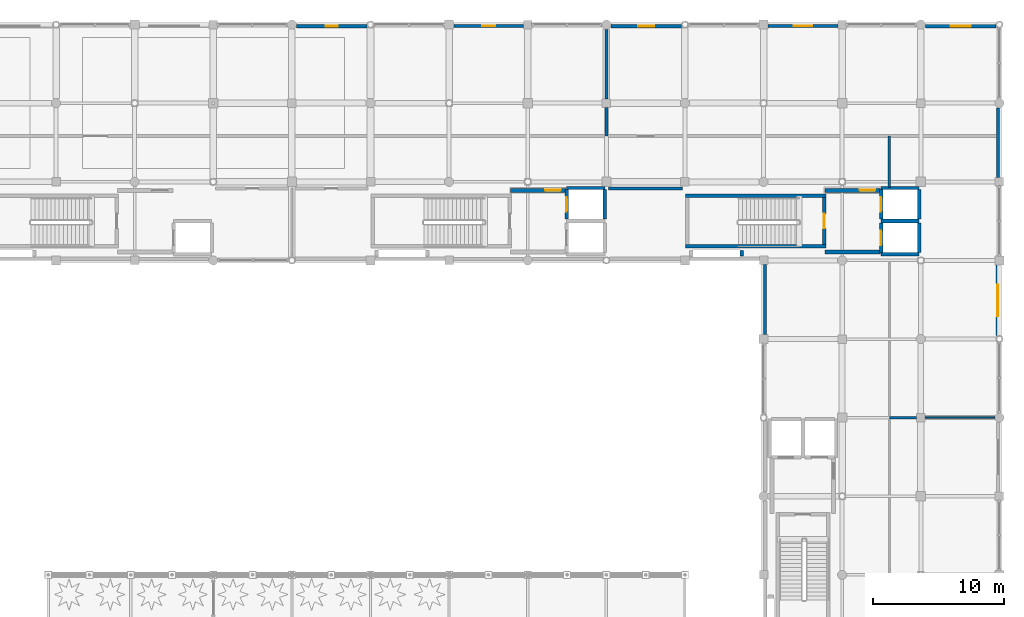
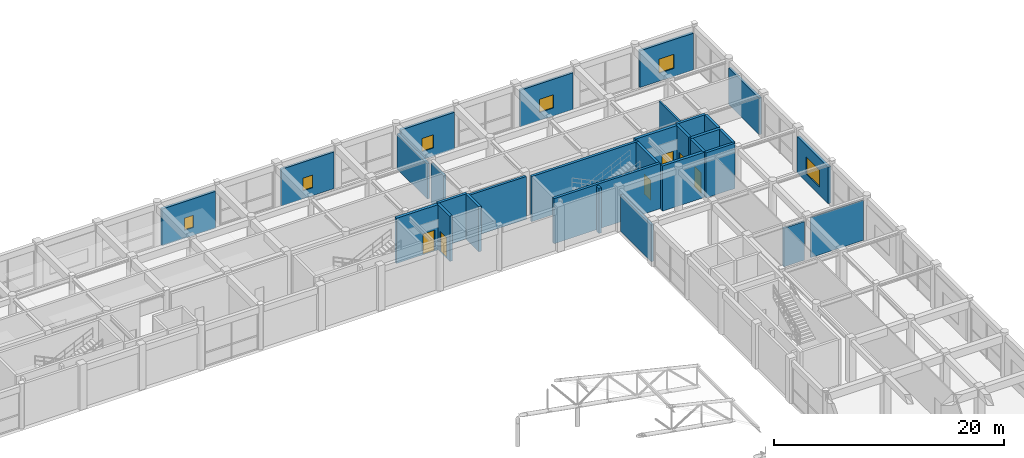
# One storey, part 99 of 112: 31 walls, 6 doors, 6 windows, 12 openings.
"""IFC4 building model written with IfcOpenShell, lengths in metres."""

import ifcopenshell
import ifcopenshell.guid

model = None  # the IFC model being written
_history = None  # IfcOwnerHistory: only IFC2X3 demands one
_inside = {}  # id of a spatial element -> (the spatial element, [elements in it])
_under = {}  # id of a project, library or spatial element -> (it, [spatial elements below it])
_declared = {}  # id of a project -> (the project, [libraries it declares])
_typed = {}  # id of a type object -> (the type object, [elements of that type])
_made_of = {}  # id of a material, layer set ... -> (it, [elements and type objects made of it])


def new_model(schema):
    """Start an empty IFC model of exactly this schema.

    Asked for "IFC4X3", IfcOpenShell would pick the latest addendum, in which some entities
    have other attributes; the version numbers below select the first issue.
    IFC2X3 requires an IfcOwnerHistory on every rooted entity: one is made here for all.
    """
    global model, _history
    if schema == "IFC4X3":
        model = ifcopenshell.file(schema_version=(4, 3, 0, 0))
    else:
        model = ifcopenshell.file(schema=schema)
    _inside.clear()
    _under.clear()
    _declared.clear()
    _typed.clear()
    _made_of.clear()
    _history = None
    if model.schema == "IFC2X3":
        org = make("IfcOrganization", Name="unknown")
        user = make(
            "IfcPersonAndOrganization",
            ThePerson=make("IfcPerson", FamilyName="unknown"),
            TheOrganization=org,
        )
        app = make(
            "IfcApplication",
            ApplicationDeveloper=org,
            Version="unknown",
            ApplicationFullName="unknown",
            ApplicationIdentifier="unknown",
        )
        _history = make(
            "IfcOwnerHistory",
            OwningUser=user,
            OwningApplication=app,
            ChangeAction="ADDED",
            CreationDate=0,
        )
    return model


def make(cls, **values):
    """One entity of the class cls with the attributes given. An attribute that is None is left unset."""
    return model.create_entity(
        cls, **{name: value for name, value in values.items() if value is not None}
    )


def rooted(cls, **values):
    """An entity with a GlobalId (a new one), such as an element, a storey or a relation."""
    return make(cls, GlobalId=ifcopenshell.guid.new(), OwnerHistory=_history, **values)


def si_unit(unit_type, name, prefix=None):
    """IfcSIUnit, for example si_unit("LENGTHUNIT", "METRE", prefix="MILLI")."""
    return make("IfcSIUnit", UnitType=unit_type, Prefix=prefix, Name=name)


def assignment(units):
    """IfcUnitAssignment: the units of a project."""
    return None if units is None else make("IfcUnitAssignment", Units=units)


def point(xyz):
    """IfcCartesianPoint."""
    return None if xyz is None else make("IfcCartesianPoint", Coordinates=xyz)


def direction(xyz):
    """IfcDirection."""
    return None if xyz is None else make("IfcDirection", DirectionRatios=xyz)


def frame(location, z_axis=None, x_axis=None):
    """IfcAxis2Placement3D, a coordinate frame: its origin and axes. An axis left out is left unset."""
    return make(
        "IfcAxis2Placement3D",
        Location=point(location),
        Axis=direction(z_axis),
        RefDirection=direction(x_axis),
    )


def frame_2d(location, x_axis=None):
    """IfcAxis2Placement2D, a coordinate frame in the plane: its origin and x axis."""
    return make(
        "IfcAxis2Placement2D", Location=point(location), RefDirection=direction(x_axis)
    )


def origin():
    """The frame at (0, 0, 0) with its axes left unset."""
    return frame((0.0, 0.0, 0.0))


def place(relative_to, where):
    """IfcLocalPlacement: puts the frame where relative to a parent placement (None: the world)."""
    return make(
        "IfcLocalPlacement", PlacementRelTo=relative_to, RelativePlacement=where
    )


def context(
    kind, dimensions, precision=None, world=None, true_north=None, identifier=None
):
    """IfcGeometricRepresentationContext, for example the 3D "Model" context."""
    return make(
        "IfcGeometricRepresentationContext",
        ContextIdentifier=identifier,
        ContextType=kind,
        CoordinateSpaceDimension=dimensions,
        Precision=precision,
        WorldCoordinateSystem=world,
        TrueNorth=true_north,
    )


def subcontext(parent, identifier, kind, view, scale=None):
    """IfcGeometricRepresentationSubContext, for example "Body" below "Model"."""
    return make(
        "IfcGeometricRepresentationSubContext",
        ContextIdentifier=identifier,
        ContextType=kind,
        ParentContext=parent,
        TargetScale=scale,
        TargetView=view,
    )


def project(units=None, contexts=None):
    """IfcProject with its units and contexts."""
    return rooted(
        "IfcProject",
        Name="project",
        RepresentationContexts=contexts,
        UnitsInContext=assignment(units),
    )


def spatial(cls, under=None, at=None, **own):
    """A site, building, storey or space (cls), placed at a placement, below another one or the project."""
    s = rooted(cls, ObjectPlacement=at, **own)
    if under is not None:
        _under.setdefault(under.id(), (under, []))[1].append(s)
    return s


def profile(cls, at=None, kind="AREA", **sizes):
    """A parametric profile (cls). Its sizes go by their IFC names, for example OverallWidth=200.0."""
    return make(cls, ProfileType=kind, Position=at, **sizes)


def rectangle(**sizes):
    """IfcRectangleProfileDef."""
    return profile("IfcRectangleProfileDef", **sizes)


def extrude(swept, where, along, depth):
    """IfcExtrudedAreaSolid: the profile swept, set in the frame where, extruded along a direction by depth."""
    return make(
        "IfcExtrudedAreaSolid",
        SweptArea=swept,
        Position=where,
        ExtrudedDirection=direction(along),
        Depth=depth,
    )


def shape(context_of_items, identifier, shape_type, items):
    """IfcShapeRepresentation: the items that make up one representation, for example the "Body"."""
    return make(
        "IfcShapeRepresentation",
        ContextOfItems=context_of_items,
        RepresentationIdentifier=identifier,
        RepresentationType=shape_type,
        Items=items,
    )


def material(Name=None, Category=None):
    """IfcMaterial."""
    return make("IfcMaterial", Name=Name, Category=Category)


def layer(
    of_material, thickness, ventilated=None, Name=None, Category=None, Priority=None
):
    """IfcMaterialLayer: one layer of a wall or slab, of a material (None: an air gap)."""
    return make(
        "IfcMaterialLayer",
        Material=of_material,
        LayerThickness=thickness,
        IsVentilated=ventilated,
        Name=Name,
        Category=Category,
        Priority=Priority,
    )


def layer_set(layers, Name=None):
    """IfcMaterialLayerSet."""
    return make("IfcMaterialLayerSet", MaterialLayers=layers, LayerSetName=Name)


def made_of(thing, what):
    """Note that an element or type object is made of a material, layer set ...; save() writes the relation."""
    if what is not None:
        _made_of.setdefault(what.id(), (what, []))[1].append(thing)
    return thing


def type_object(cls, material=None, **own):
    """A type object (cls), such as IfcWallType, which elements share."""
    return made_of(rooted(cls, **own), material)


def element(
    cls,
    number,
    at=None,
    inside=None,
    cuts=None,
    type_object=None,
    material=None,
    context=None,
    identifier="Body",
    shape_type=None,
    held_by="IfcProductDefinitionShape",
    body=None,
    shapes=None,
    **own,
):
    """One element of the class cls, such as IfcWall. Its Tag is "e" and its number.

    at: its placement. inside: the storey or other place that contains it. cuts: it is an
    opening in that element (IfcRelVoidsElement). A single representation is given by context,
    identifier, shape_type and body (its items); several are given by shapes. held_by: the class
    of the entity that holds the representations. save() writes the other relations.
    """
    e = rooted(cls, Tag="e%d" % number, ObjectPlacement=at, **own)
    if body is not None:
        shapes = [shape(context, identifier, shape_type, body)]
    if shapes is not None:
        e.Representation = make(held_by, Representations=shapes)
    if inside is not None:
        _inside.setdefault(inside.id(), (inside, []))[1].append(e)
    if cuts is not None:
        rooted(
            "IfcRelVoidsElement", RelatingBuildingElement=cuts, RelatedOpeningElement=e
        )
    if type_object is not None:
        _typed.setdefault(type_object.id(), (type_object, []))[1].append(e)
    return made_of(e, material)


def fill(opening, filler):
    """IfcRelFillsElement: the door or window that sits in an opening."""
    return rooted(
        "IfcRelFillsElement",
        RelatingOpeningElement=opening,
        RelatedBuildingElement=filler,
    )


def aggregate(whole, parts):
    """IfcRelAggregates: a whole, such as a stair, and the parts it consists of."""
    return rooted("IfcRelAggregates", RelatingObject=whole, RelatedObjects=parts)


def save(model, path):
    """Write the relations noted so far, then the file.

    IfcRelAggregates (storeys below a building ...), IfcRelContainedInSpatialStructure (elements
    in a storey), IfcRelDefinesByType, IfcRelAssociatesMaterial and IfcRelDeclares: one each for
    every whole, place, type object, material and project.
    """
    for whole, parts in _under.values():
        aggregate(whole, parts)
    for where, things in _inside.values():
        rooted(
            "IfcRelContainedInSpatialStructure",
            RelatedElements=things,
            RelatingStructure=where,
        )
    for kind, things in _typed.values():
        rooted("IfcRelDefinesByType", RelatedObjects=things, RelatingType=kind)
    for what, things in _made_of.values():
        rooted("IfcRelAssociatesMaterial", RelatedObjects=things, RelatingMaterial=what)
    for by, libraries in _declared.values():
        rooted("IfcRelDeclares", RelatingContext=by, RelatedDefinitions=libraries)
    model.write(path)


model = new_model("IFC4")

# Units and contexts
model_context = context("Model", 3, precision=1e-05, world=origin(), true_north=direction((0.0, 1.0)))
body_context = subcontext(model_context, "Body", "Model", "MODEL_VIEW")
ifc_project = project(units=[si_unit("LENGTHUNIT", "METRE"), si_unit("AREAUNIT", "SQUARE_METRE"), si_unit("VOLUMEUNIT", "CUBIC_METRE"), si_unit("PLANEANGLEUNIT", "RADIAN"), si_unit("MASSUNIT", "GRAM", prefix="KILO"), si_unit("THERMODYNAMICTEMPERATUREUNIT", "KELVIN"), si_unit("POWERUNIT", "WATT")], contexts=[model_context])

# Site, building, storey
site_placement = place(None, origin())
site = spatial("IfcSite", under=ifc_project, at=site_placement, CompositionType="ELEMENT")
building_placement = place(site_placement, origin())
building = spatial("IfcBuilding", under=site, at=building_placement, Name="Phaisarnlok Congress Hotel", CompositionType="ELEMENT")
storey_placement = place(building_placement, frame((0.0, 0.0, 19.800048828125)))
storey = spatial("IfcBuildingStorey", under=building, at=storey_placement, Name="L04", CompositionType="ELEMENT", Elevation=19.800048828125)

# Walls
ifc_material_1 = material(Name="Concrete C40/50", Category="concrete")
ifc_layer_1 = layer(ifc_material_1, 0.22998046875, Name="Concrete C40/50")
ifc_layer_set_1 = layer_set([ifc_layer_1], Name="Concrete C40/50")
wall_type_1 = type_object("IfcWallType", Name="WL-EXT-230", PredefinedType="SOLIDWALL", material=ifc_layer_set_1)
for number, where, z_axis, x_axis, name in (
    (1, (162.114990234375, 107.669921875, 0.0), (0.0, 0.0, 1.0), (0.0, -1.0, 0.0), "Exterior wall EW-06 (L04)"),
    (2, (179.885009765625, 114.330078125, 0.0), (0.0, 0.0, 1.0), (0.0, 1.0, 0.0), "Exterior wall EW-06 (L04)"),
):
    element("IfcWall", number, at=place(storey_placement, frame(where, z_axis=z_axis, x_axis=x_axis)), inside=storey, type_object=wall_type_1, Name=name, PredefinedType="SOLIDWALL", context=body_context, shape_type="SweptSolid", body=[
        extrude(rectangle(XDim=5.31494140625, YDim=0.22998046875, at=frame_2d((2.657470703125, 0.0))), origin(), (0.0, 0.0, 1.0), 3.89990234375),
    ])

# Wall, opening, window
wall_1_placement = place(storey_placement, frame((167.669921875, 125.885009765625, 0.0), z_axis=(0.0, 0.0, 1.0), x_axis=(-1.0, 0.0, 0.0)))
wall_1 = element("IfcWall", 3, at=wall_1_placement, inside=storey, type_object=wall_type_1, Name="Exterior wall EW-06 (L04)", PredefinedType="SOLIDWALL", context=body_context, shape_type="SweptSolid", body=[
    extrude(rectangle(XDim=5.31494140625, YDim=0.22998046875, at=frame_2d((2.657470703125, 0.0))), origin(), (0.0, 0.0, 1.0), 3.89990234375),
])
opening_1_placement = place(wall_1_placement, frame((1.95703125, 0.0, 0.85009765625)))
opening_1 = element("IfcOpeningElement", 4, at=opening_1_placement, cuts=wall_1, Name="Opening W-13", PredefinedType="OPENING", context=body_context, shape_type="SweptSolid", body=[
    extrude(rectangle(XDim=1.39990234375, YDim=1.39990234375, at=frame_2d((0.699951171875, 0.699951171875))), frame((0.0, 0.125, 0.0), z_axis=(0.0, -1.0, 0.0), x_axis=(1.0, 0.0, 0.0)), (0.0, 0.0, 1.0), 0.25),
])
ifc_material_2 = material(Name="Thermally Broken Aluminium & Low-E Double Glazing", Category="aluminium")
window_type_1 = type_object("IfcWindowType", Name="WIN-POD-1400", PartitioningType="SINGLE_PANEL", PredefinedType="WINDOW", material=ifc_material_2)
window_1_placement = place(opening_1_placement, origin())
window_1 = element("IfcWindow", 5, at=window_1_placement, inside=storey, type_object=window_type_1, Name="Podium window W-13 (L04)", OverallHeight=1.39990234375, OverallWidth=1.39990234375, PartitioningType="SINGLE_PANEL", PredefinedType="WINDOW", context=body_context, shape_type="SweptSolid", body=[
    extrude(rectangle(XDim=1.39990234375, YDim=1.39990234375, at=frame_2d((0.699951171875, 0.699951171875))), frame((0.0, 0.030029296875, 0.0), z_axis=(0.0, -1.0, 0.0), x_axis=(1.0, 0.0, 0.0)), (0.0, 0.0, 1.0), 0.06005859375),
])
fill(opening_1, window_1)

wall_2_placement = place(storey_placement, frame((143.669921875, 125.885009765625, 0.0), z_axis=(0.0, 0.0, 1.0), x_axis=(-1.0, 0.0, 0.0)))
wall_2 = element("IfcWall", 6, at=wall_2_placement, inside=storey, type_object=wall_type_1, Name="Exterior wall EW-06 (L04)", PredefinedType="SOLIDWALL", context=body_context, shape_type="SweptSolid", body=[
    extrude(rectangle(XDim=5.31494140625, YDim=0.22998046875, at=frame_2d((2.657470703125, 0.0))), origin(), (0.0, 0.0, 1.0), 3.89990234375),
])
opening_2_placement = place(wall_2_placement, frame((2.156982421875, 0.0, 0.85009765625)))
opening_2 = element("IfcOpeningElement", 7, at=opening_2_placement, cuts=wall_2, Name="Opening W-15", PredefinedType="OPENING", context=body_context, shape_type="SweptSolid", body=[
    extrude(rectangle(XDim=1.0, YDim=1.35009765625, at=frame_2d((0.5, 0.675048828125))), frame((0.0, 0.125, 0.0), z_axis=(0.0, -1.0, 0.0), x_axis=(1.0, 0.0, 0.0)), (0.0, 0.0, 1.0), 0.25),
])
window_type_2 = type_object("IfcWindowType", Name="WIN-POD-1000", PartitioningType="SINGLE_PANEL", PredefinedType="WINDOW", material=ifc_material_2)
window_2_placement = place(opening_2_placement, origin())
window_2 = element("IfcWindow", 8, at=window_2_placement, inside=storey, type_object=window_type_2, Name="Podium window W-15 (L04)", OverallHeight=1.35009765625, OverallWidth=1.0, PartitioningType="SINGLE_PANEL", PredefinedType="WINDOW", context=body_context, shape_type="SweptSolid", body=[
    extrude(rectangle(XDim=1.0, YDim=1.35009765625, at=frame_2d((0.5, 0.675048828125))), frame((0.0, 0.030029296875, 0.0), z_axis=(0.0, -1.0, 0.0), x_axis=(1.0, 0.0, 0.0)), (0.0, 0.0, 1.0), 0.06005859375),
])
fill(opening_2, window_2)

ifc_layer_2 = layer(ifc_material_1, 0.27001953125, Name="Concrete C40/50")
ifc_layer_set_2 = layer_set([ifc_layer_2], Name="Concrete C40/50")
wall_type_2 = type_object("IfcWallType", Name="WL-EXT-270", PredefinedType="SOLIDWALL", material=ifc_layer_set_2)
wall_3_placement = place(storey_placement, frame((179.864990234375, 102.259033203125, 0.0), z_axis=(0.0, 0.0, 1.0), x_axis=(0.0, 1.0, 0.0)))
wall_3 = element("IfcWall", 9, at=wall_3_placement, inside=storey, type_object=wall_type_2, Name="Exterior wall EW-04 (L04)", PredefinedType="SOLIDWALL", context=body_context, shape_type="SweptSolid", body=[
    extrude(rectangle(XDim=5.385986328125, YDim=0.27001953125, at=frame_2d((2.69287109375, 0.0))), origin(), (0.0, 0.0, 1.0), 3.89990234375),
])
opening_3_placement = place(wall_3_placement, frame((1.492919921875, 0.0, 0.85009765625)))
opening_3 = element("IfcOpeningElement", 10, at=opening_3_placement, cuts=wall_3, Name="Opening W-08", PredefinedType="OPENING", context=body_context, shape_type="SweptSolid", body=[
    extrude(rectangle(XDim=2.39990234375, YDim=1.800048828125, at=frame_2d((1.199951171875, 0.89990234375))), frame((0.0, 0.14501953125, 0.0), z_axis=(0.0, -1.0, 0.0), x_axis=(1.0, 0.0, 0.0)), (0.0, 0.0, 1.0), 0.2900390625),
])
window_type_3 = type_object("IfcWindowType", Name="WIN-POD-2400", PartitioningType="SINGLE_PANEL", PredefinedType="WINDOW", material=ifc_material_2)
window_3_placement = place(opening_3_placement, origin())
window_3 = element("IfcWindow", 11, at=window_3_placement, inside=storey, type_object=window_type_3, Name="Podium window W-08 (L04)", OverallHeight=1.800048828125, OverallWidth=2.39990234375, PartitioningType="SINGLE_PANEL", PredefinedType="WINDOW", context=body_context, shape_type="SweptSolid", body=[
    extrude(rectangle(XDim=2.39990234375, YDim=1.800048828125, at=frame_2d((1.199951171875, 0.89990234375))), frame((0.0, 0.030029296875, 0.0), z_axis=(0.0, -1.0, 0.0), x_axis=(1.0, 0.0, 0.0)), (0.0, 0.0, 1.0), 0.06005859375),
])
fill(opening_3, window_3)

wall_4_placement = place(storey_placement, frame((179.740966796875, 125.864990234375, 0.0), z_axis=(0.0, 0.0, 1.0), x_axis=(-1.0, 0.0, 0.0)))
wall_4 = element("IfcWall", 12, at=wall_4_placement, inside=storey, type_object=wall_type_2, Name="Exterior wall EW-04 (L04)", PredefinedType="SOLIDWALL", context=body_context, shape_type="SweptSolid", body=[
    extrude(rectangle(XDim=5.385986328125, YDim=0.27001953125, at=frame_2d((2.69287109375, 0.0))), origin(), (0.0, 0.0, 1.0), 3.89990234375),
])
opening_4_placement = place(wall_4_placement, frame((1.943115234375, 0.0, 0.85009765625)))
opening_4 = element("IfcOpeningElement", 13, at=opening_4_placement, cuts=wall_4, Name="Opening W-12", PredefinedType="OPENING", context=body_context, shape_type="SweptSolid", body=[
    extrude(rectangle(XDim=1.5, YDim=1.5, at=frame_2d((0.75, 0.75))), frame((0.0, 0.14501953125, 0.0), z_axis=(0.0, -1.0, 0.0), x_axis=(1.0, 0.0, 0.0)), (0.0, 0.0, 1.0), 0.2900390625),
])
window_type_4 = type_object("IfcWindowType", Name="WIN-POD-1500", PartitioningType="SINGLE_PANEL", PredefinedType="WINDOW", material=ifc_material_2)
window_4_placement = place(opening_4_placement, origin())
window_4 = element("IfcWindow", 14, at=window_4_placement, inside=storey, type_object=window_type_4, Name="Podium window W-12 (L04)", OverallHeight=1.5, OverallWidth=1.5, PartitioningType="SINGLE_PANEL", PredefinedType="WINDOW", context=body_context, shape_type="SweptSolid", body=[
    extrude(rectangle(XDim=1.5, YDim=1.5, at=frame_2d((0.75, 0.75))), frame((0.0, 0.030029296875, 0.0), z_axis=(0.0, -1.0, 0.0), x_axis=(1.0, 0.0, 0.0)), (0.0, 0.0, 1.0), 0.06005859375),
])
fill(opening_4, window_4)

wall_5_placement = place(storey_placement, frame((155.740966796875, 125.864990234375, 0.0), z_axis=(0.0, 0.0, 1.0), x_axis=(-1.0, 0.0, 0.0)))
wall_5 = element("IfcWall", 15, at=wall_5_placement, inside=storey, type_object=wall_type_2, Name="Exterior wall EW-04 (L04)", PredefinedType="SOLIDWALL", context=body_context, shape_type="SweptSolid", body=[
    extrude(rectangle(XDim=5.385986328125, YDim=0.27001953125, at=frame_2d((2.69287109375, 0.0))), origin(), (0.0, 0.0, 1.0), 3.89990234375),
])
opening_5_placement = place(wall_5_placement, frame((2.093017578125, 0.0, 0.85009765625)))
opening_5 = element("IfcOpeningElement", 16, at=opening_5_placement, cuts=wall_5, Name="Opening W-14", PredefinedType="OPENING", context=body_context, shape_type="SweptSolid", body=[
    extrude(rectangle(XDim=1.199951171875, YDim=1.39990234375, at=frame_2d((0.60009765625, 0.699951171875))), frame((0.0, 0.14501953125, 0.0), z_axis=(0.0, -1.0, 0.0), x_axis=(1.0, 0.0, 0.0)), (0.0, 0.0, 1.0), 0.2900390625),
])
window_type_5 = type_object("IfcWindowType", Name="WIN-POD-1200", PartitioningType="SINGLE_PANEL", PredefinedType="WINDOW", material=ifc_material_2)
window_5_placement = place(opening_5_placement, origin())
window_5 = element("IfcWindow", 17, at=window_5_placement, inside=storey, type_object=window_type_5, Name="Podium window W-14 (L04)", OverallHeight=1.39990234375, OverallWidth=1.199951171875, PartitioningType="SINGLE_PANEL", PredefinedType="WINDOW", context=body_context, shape_type="SweptSolid", body=[
    extrude(rectangle(XDim=1.199951171875, YDim=1.39990234375, at=frame_2d((0.60009765625, 0.699951171875))), frame((0.0, 0.030029296875, 0.0), z_axis=(0.0, -1.0, 0.0), x_axis=(1.0, 0.0, 0.0)), (0.0, 0.0, 1.0), 0.06005859375),
])
fill(opening_5, window_5)

wall_6_placement = place(storey_placement, frame((131.740966796875, 125.864990234375, 0.0), z_axis=(0.0, 0.0, 1.0), x_axis=(-1.0, 0.0, 0.0)))
wall_6 = element("IfcWall", 18, at=wall_6_placement, inside=storey, type_object=wall_type_2, Name="Exterior wall EW-04 (L04)", PredefinedType="SOLIDWALL", context=body_context, shape_type="SweptSolid", body=[
    extrude(rectangle(XDim=5.385986328125, YDim=0.27001953125, at=frame_2d((2.69287109375, 0.0))), origin(), (0.0, 0.0, 1.0), 3.89990234375),
])
opening_6_placement = place(wall_6_placement, frame((2.242919921875, 0.0, 0.85009765625)))
opening_6 = element("IfcOpeningElement", 19, at=opening_6_placement, cuts=wall_6, Name="Opening W-16", PredefinedType="OPENING", context=body_context, shape_type="SweptSolid", body=[
    extrude(rectangle(XDim=0.89990234375, YDim=1.300048828125, at=frame_2d((0.449951171875, 0.64990234375))), frame((0.0, 0.14501953125, 0.0), z_axis=(0.0, -1.0, 0.0), x_axis=(1.0, 0.0, 0.0)), (0.0, 0.0, 1.0), 0.2900390625),
])
window_type_6 = type_object("IfcWindowType", Name="WIN-POD-0900", PartitioningType="SINGLE_PANEL", PredefinedType="WINDOW", material=ifc_material_2)
window_6_placement = place(opening_6_placement, origin())
window_6 = element("IfcWindow", 20, at=window_6_placement, inside=storey, type_object=window_type_6, Name="Podium window W-16 (L04)", OverallHeight=1.300048828125, OverallWidth=0.89990234375, PartitioningType="SINGLE_PANEL", PredefinedType="WINDOW", context=body_context, shape_type="SweptSolid", body=[
    extrude(rectangle(XDim=0.89990234375, YDim=1.300048828125, at=frame_2d((0.449951171875, 0.64990234375))), frame((0.0, 0.030029296875, 0.0), z_axis=(0.0, -1.0, 0.0), x_axis=(1.0, 0.0, 0.0)), (0.0, 0.0, 1.0), 0.06005859375),
])
fill(opening_6, window_6)

# Walls
ifc_material_3 = material(Name="Service Riser Shaftwall Partition", Category="gypsum")
ifc_layer_3 = layer(ifc_material_3, 0.10498046875, Name="Service Riser Shaftwall Partition")
ifc_layer_set_3 = layer_set([ifc_layer_3], Name="Service Riser Shaftwall Partition")
wall_type_3 = type_object("IfcWallType", Name="WL-INT-105", PredefinedType="PARTITIONING", material=ifc_layer_set_3)
wall_7_placement = place(storey_placement, frame((174.330078125, 96.0, 0.0), z_axis=(0.0, 0.0, 1.0), x_axis=(1.0, 0.0, 0.0)))
element("IfcWall", 21, at=wall_7_placement, inside=storey, type_object=wall_type_3, Name="Interior partition wall IW-08 (L04)", PredefinedType="PARTITIONING", context=body_context, shape_type="SweptSolid", body=[
    extrude(rectangle(XDim=5.2998046875, YDim=0.10498046875, at=frame_2d((2.64990234375, 0.0))), origin(), (0.0, 0.0, 1.0), 4.260009765625),
])
ifc_material_4 = material(Name="Autoclaved Aerated Concrete Block", Category="concrete")
ifc_layer_4 = layer(ifc_material_4, 0.179931640625, Name="Autoclaved Aerated Concrete Block")
ifc_layer_set_4 = layer_set([ifc_layer_4], Name="Autoclaved Aerated Concrete Block")
wall_type_4 = type_object("IfcWallType", Name="WL-INT-180", PredefinedType="PARTITIONING", material=ifc_layer_set_4)
wall_8_placement = place(storey_placement, frame((171.60009765625, 113.56005859375, 0.0), z_axis=(0.0, 0.0, 1.0), x_axis=(0.0, 1.0, 0.0)))
element("IfcWall", 22, at=wall_8_placement, inside=storey, type_object=wall_type_4, Name="Interior partition wall IW-03 (L04)", PredefinedType="PARTITIONING", context=body_context, shape_type="SweptSolid", body=[
    extrude(rectangle(XDim=3.93994140625, YDim=0.179931640625, at=frame_2d((1.969970703125, 0.0))), origin(), (0.0, 0.0, 1.0), 4.550048828125),
])
ifc_layer_5 = layer(ifc_material_4, 0.199951171875, Name="Autoclaved Aerated Concrete Block")
ifc_layer_set_5 = layer_set([ifc_layer_5], Name="Autoclaved Aerated Concrete Block")
wall_type_5 = type_object("IfcWallType", Name="WL-INT-200", PredefinedType="PARTITIONING", material=ifc_layer_set_5)
wall_9_placement = place(storey_placement, frame((171.60009765625, 96.0, 0.0), z_axis=(0.0, 0.0, 1.0), x_axis=(1.0, 0.0, 0.0)))
element("IfcWall", 23, at=wall_9_placement, inside=storey, type_object=wall_type_5, Name="Interior partition wall IW-02 (L04)", PredefinedType="PARTITIONING", context=body_context, shape_type="SweptSolid", body=[
    extrude(rectangle(XDim=2.06982421875, YDim=0.199951171875, at=frame_2d((1.034912109375, 0.0))), origin(), (0.0, 0.0, 1.0), 4.099853515625),
])
ifc_layer_6 = layer(ifc_material_1, 0.239990234375, Name="Concrete C40/50")
ifc_layer_set_6 = layer_set([ifc_layer_6], Name="Concrete C40/50")
wall_type_6 = type_object("IfcWallType", Name="WL-INT-240", PredefinedType="PARTITIONING", material=ifc_layer_set_6)
wall_10_placement = place(storey_placement, frame((150.0, 117.5, 0.0), z_axis=(0.0, 0.0, 1.0), x_axis=(0.0, 1.0, 0.0)))
element("IfcWall", 24, at=wall_10_placement, inside=storey, type_object=wall_type_6, Name="Interior partition wall IW-01 (L04)", PredefinedType="PARTITIONING", context=body_context, shape_type="SweptSolid", body=[
    extrude(rectangle(XDim=2.169921875, YDim=0.239990234375, at=frame_2d((1.0849609375, 0.0))), origin(), (0.0, 0.0, 1.0), 4.2099609375),
])
wall_11_placement = place(storey_placement, frame((150.0, 120.330078125, 0.0), z_axis=(0.0, 0.0, 1.0), x_axis=(0.0, 1.0, 0.0)))
element("IfcWall", 25, at=wall_11_placement, inside=storey, type_object=wall_type_6, Name="Interior partition wall IW-01 (L04)", PredefinedType="PARTITIONING", context=body_context, shape_type="SweptSolid", body=[
    extrude(rectangle(XDim=5.2998046875, YDim=0.239990234375, at=frame_2d((2.64990234375, 0.0))), origin(), (0.0, 0.0, 1.0), 3.75),
])
wall_12_placement = place(storey_placement, frame((150.179931640625, 113.5, 0.0), z_axis=(0.0, 0.0, 1.0), x_axis=(1.0, 0.0, 0.0)))
element("IfcWall", 26, at=wall_12_placement, inside=storey, type_object=wall_type_6, Name="Interior partition wall IW-01 (L04)", PredefinedType="PARTITIONING", context=body_context, shape_type="SweptSolid", body=[
    extrude(rectangle(XDim=5.64013671875, YDim=0.239990234375, at=frame_2d((2.820068359375, 0.0))), origin(), (0.0, 0.0, 1.0), 4.550048828125),
])
ifc_material_5 = material(Name="Concrete C50/60", Category="concrete")
ifc_layer_7 = layer(ifc_material_5, 0.260009765625, Name="Concrete C50/60")
ifc_layer_set_7 = layer_set([ifc_layer_7], Name="Concrete C50/60")
wall_type_7 = type_object("IfcWallType", Name="WL-SHR-260", PredefinedType="SHEAR", material=ifc_layer_set_7)
for number, where, z_axis, x_axis, name in (
    (27, (156.0400390625, 109.070068359375, 0.0), (0.0, 0.0, 1.0), (1.0, 0.0, 0.0), "Stair shaft shear wall SW-04 (CORE-1 L04)"),
    (28, (156.0400390625, 112.929931640625, 0.0), (0.0, 0.0, 1.0), (1.0, 0.0, 0.0), "Stair shaft shear wall SW-04 (CORE-1 L04)"),
):
    element("IfcWall", number, at=place(storey_placement, frame(where, z_axis=z_axis, x_axis=x_axis)), inside=storey, type_object=wall_type_7, Name=name, PredefinedType="SHEAR", context=body_context, shape_type="SweptSolid", body=[
        extrude(rectangle(XDim=10.719970703125, YDim=0.260009765625, at=frame_2d((5.35986328125, 0.0))), origin(), (0.0, 0.0, 1.0), 4.800048828125),
    ])

# Wall, opening, door
wall_13_placement = place(storey_placement, frame((166.6298828125, 109.199951171875, 0.0), z_axis=(0.0, 0.0, 1.0), x_axis=(0.0, 1.0, 0.0)))
wall_13 = element("IfcWall", 29, at=wall_13_placement, inside=storey, type_object=wall_type_7, Name="Stair shaft shear wall SW-04 (CORE-1 L04)", PredefinedType="SHEAR", context=body_context, shape_type="SweptSolid", body=[
    extrude(rectangle(XDim=3.60009765625, YDim=0.260009765625, at=frame_2d((1.800048828125, 0.0))), origin(), (0.0, 0.0, 1.0), 4.800048828125),
])
opening_7_placement = place(wall_13_placement, frame((1.25, 0.0, 0.0)))
opening_7 = element("IfcOpeningElement", 30, at=opening_7_placement, cuts=wall_13, Name="Opening FD-006", PredefinedType="OPENING", context=body_context, shape_type="SweptSolid", body=[
    extrude(rectangle(XDim=1.10009765625, YDim=2.14990234375, at=frame_2d((0.550048828125, 1.074951171875))), frame((0.0, 0.14013671875, 0.0), z_axis=(0.0, -1.0, 0.0), x_axis=(1.0, 0.0, 0.0)), (0.0, 0.0, 1.0), 0.280029296875),
])
ifc_material_6 = material(Name="Fire-Rated Steel Frame & Timber Leaf", Category="steel")
door_type_1 = type_object("IfcDoorType", Name="DR-FD60-1100", OperationType="NOTDEFINED", PredefinedType="DOOR", material=ifc_material_6)
door_1_placement = place(opening_7_placement, origin())
door_1 = element("IfcDoor", 31, at=door_1_placement, inside=storey, type_object=door_type_1, Name="Stair enclosure fire door FD-006 (L04)", OperationType="SINGLE_SWING_LEFT", OverallHeight=2.14990234375, OverallWidth=1.10009765625, PredefinedType="DOOR", context=body_context, shape_type="SweptSolid", body=[
    extrude(rectangle(XDim=1.10009765625, YDim=2.14990234375, at=frame_2d((0.550048828125, 1.074951171875))), frame((0.0, 0.02490234375, 0.0), z_axis=(0.0, -1.0, 0.0), x_axis=(1.0, 0.0, 0.0)), (0.0, 0.0, 1.0), 0.050048828125),
])
fill(opening_7, door_1)

# Walls
wall_14_placement = place(storey_placement, frame((170.969970703125, 108.469970703125, 0.0), z_axis=(0.0, 0.0, 1.0), x_axis=(1.0, 0.0, 0.0)))
element("IfcWall", 32, at=wall_14_placement, inside=storey, type_object=wall_type_7, Name="Lift shaft shear wall SW-04 (LF-FF1 L04)", PredefinedType="SHEAR", context=body_context, shape_type="SweptSolid", body=[
    extrude(rectangle(XDim=2.909912109375, YDim=0.260009765625, at=frame_2d((1.455078125, 0.0))), origin(), (0.0, 0.0, 1.0), 4.800048828125),
])
wall_15_placement = place(storey_placement, frame((173.8798828125, 108.60009765625, 0.0), z_axis=(0.0, 0.0, 1.0), x_axis=(0.0, 1.0, 0.0)))
element("IfcWall", 33, at=wall_15_placement, inside=storey, type_object=wall_type_7, Name="Lift shaft shear wall SW-04 (LF-FF1 L04)", PredefinedType="SHEAR", context=body_context, shape_type="SweptSolid", body=[
    extrude(rectangle(XDim=2.25, YDim=0.260009765625, at=frame_2d((1.125, 0.0))), origin(), (0.0, 0.0, 1.0), 4.800048828125),
])

# Wall, opening, door
wall_16_placement = place(storey_placement, frame((170.969970703125, 108.60009765625, 0.0), z_axis=(0.0, 0.0, 1.0), x_axis=(0.0, 1.0, 0.0)))
wall_16 = element("IfcWall", 34, at=wall_16_placement, inside=storey, type_object=wall_type_7, Name="Lift shaft front wall SW-04 (LF-FF1 L04)", PredefinedType="SHEAR", context=body_context, shape_type="SweptSolid", body=[
    extrude(rectangle(XDim=2.25, YDim=0.260009765625, at=frame_2d((1.125, 0.0))), origin(), (0.0, 0.0, 1.0), 4.800048828125),
])
opening_8_placement = place(wall_16_placement, frame((0.574951171875, 0.0, 0.0)))
opening_8 = element("IfcOpeningElement", 35, at=opening_8_placement, cuts=wall_16, Name="Opening LD-006", PredefinedType="OPENING", context=body_context, shape_type="SweptSolid", body=[
    extrude(rectangle(XDim=1.10009765625, YDim=2.199951171875, at=frame_2d((0.550048828125, 1.10009765625))), frame((0.0, 0.14013671875, 0.0), z_axis=(0.0, -1.0, 0.0), x_axis=(1.0, 0.0, 0.0)), (0.0, 0.0, 1.0), 0.280029296875),
])
ifc_material_7 = material(Name="Brushed Stainless Steel Grade 304", Category="steel")
door_type_2 = type_object("IfcDoorType", Name="DR-LD-1100", OperationType="DOUBLE_DOOR_SLIDING", PredefinedType="DOOR", material=ifc_material_7)
door_2_placement = place(opening_8_placement, origin())
door_2 = element("IfcDoor", 36, at=door_2_placement, inside=storey, type_object=door_type_2, Name="Lift landing sliding door LD-006 (LF-FF1 L04)", OperationType="DOUBLE_DOOR_SLIDING", OverallHeight=2.199951171875, OverallWidth=1.10009765625, PredefinedType="DOOR", context=body_context, shape_type="SweptSolid", body=[
    extrude(rectangle(XDim=1.10009765625, YDim=2.199951171875, at=frame_2d((0.550048828125, 1.10009765625))), frame((0.0, 0.02490234375, 0.0), z_axis=(0.0, -1.0, 0.0), x_axis=(1.0, 0.0, 0.0)), (0.0, 0.0, 1.0), 0.050048828125),
])
fill(opening_8, door_2)

# Walls
wall_17_placement = place(storey_placement, frame((170.969970703125, 113.530029296875, 0.0), z_axis=(0.0, 0.0, 1.0), x_axis=(1.0, 0.0, 0.0)))
element("IfcWall", 37, at=wall_17_placement, inside=storey, type_object=wall_type_7, Name="Lift shaft shear wall SW-04 (LF-HP1 L04)", PredefinedType="SHEAR", context=body_context, shape_type="SweptSolid", body=[
    extrude(rectangle(XDim=2.909912109375, YDim=0.260009765625, at=frame_2d((1.455078125, 0.0))), origin(), (0.0, 0.0, 1.0), 4.800048828125),
])
wall_18_placement = place(storey_placement, frame((173.8798828125, 111.14990234375, 0.0), z_axis=(0.0, 0.0, 1.0), x_axis=(0.0, 1.0, 0.0)))
element("IfcWall", 38, at=wall_18_placement, inside=storey, type_object=wall_type_7, Name="Lift shaft shear wall SW-04 (LF-HP1 L04)", PredefinedType="SHEAR", context=body_context, shape_type="SweptSolid", body=[
    extrude(rectangle(XDim=2.25, YDim=0.260009765625, at=frame_2d((1.125, 0.0))), origin(), (0.0, 0.0, 1.0), 4.800048828125),
])

# Wall, opening, door
wall_19_placement = place(storey_placement, frame((170.969970703125, 111.14990234375, 0.0), z_axis=(0.0, 0.0, 1.0), x_axis=(0.0, 1.0, 0.0)))
wall_19 = element("IfcWall", 39, at=wall_19_placement, inside=storey, type_object=wall_type_7, Name="Lift shaft front wall SW-04 (LF-HP1 L04)", PredefinedType="SHEAR", context=body_context, shape_type="SweptSolid", body=[
    extrude(rectangle(XDim=2.25, YDim=0.260009765625, at=frame_2d((1.125, 0.0))), origin(), (0.0, 0.0, 1.0), 4.800048828125),
])
opening_9_placement = place(wall_19_placement, frame((0.574951171875, 0.0, 0.0)))
opening_9 = element("IfcOpeningElement", 40, at=opening_9_placement, cuts=wall_19, Name="Opening LD-021", PredefinedType="OPENING", context=body_context, shape_type="SweptSolid", body=[
    extrude(rectangle(XDim=1.10009765625, YDim=2.199951171875, at=frame_2d((0.550048828125, 1.10009765625))), frame((0.0, 0.14013671875, 0.0), z_axis=(0.0, -1.0, 0.0), x_axis=(1.0, 0.0, 0.0)), (0.0, 0.0, 1.0), 0.280029296875),
])
door_3_placement = place(opening_9_placement, origin())
door_3 = element("IfcDoor", 41, at=door_3_placement, inside=storey, type_object=door_type_2, Name="Lift landing sliding door LD-021 (LF-HP1 L04)", OperationType="DOUBLE_DOOR_SLIDING", OverallHeight=2.199951171875, OverallWidth=1.10009765625, PredefinedType="DOOR", context=body_context, shape_type="SweptSolid", body=[
    extrude(rectangle(XDim=1.10009765625, YDim=2.199951171875, at=frame_2d((0.550048828125, 1.10009765625))), frame((0.0, 0.02490234375, 0.0), z_axis=(0.0, -1.0, 0.0), x_axis=(1.0, 0.0, 0.0)), (0.0, 0.0, 1.0), 0.050048828125),
])
fill(opening_9, door_3)

# Walls
wall_20_placement = place(storey_placement, frame((160.330078125, 108.330078125, 0.0), z_axis=(0.0, 0.0, 1.0), x_axis=(0.0, 1.0, 0.0)))
element("IfcWall", 42, at=wall_20_placement, inside=storey, type_object=wall_type_7, Name="Service riser shaft wall SW-04 (CORE-1 L04)", PredefinedType="SHEAR", context=body_context, shape_type="SweptSolid", body=[
    extrude(rectangle(XDim=0.43994140625, YDim=0.260009765625, at=frame_2d((0.219970703125, 0.0))), origin(), (0.0, 0.0, 1.0), 4.800048828125),
])
wall_21_placement = place(storey_placement, frame((146.969970703125, 113.530029296875, 0.0), z_axis=(0.0, 0.0, 1.0), x_axis=(1.0, 0.0, 0.0)))
element("IfcWall", 43, at=wall_21_placement, inside=storey, type_object=wall_type_7, Name="Lift shaft shear wall SW-04 (LF-HP2 L04)", PredefinedType="SHEAR", context=body_context, shape_type="SweptSolid", body=[
    extrude(rectangle(XDim=2.909912109375, YDim=0.260009765625, at=frame_2d((1.455078125, 0.0))), origin(), (0.0, 0.0, 1.0), 4.800048828125),
])
wall_22_placement = place(storey_placement, frame((149.8798828125, 111.14990234375, 0.0), z_axis=(0.0, 0.0, 1.0), x_axis=(0.0, 1.0, 0.0)))
element("IfcWall", 44, at=wall_22_placement, inside=storey, type_object=wall_type_7, Name="Lift shaft shear wall SW-04 (LF-HP2 L04)", PredefinedType="SHEAR", context=body_context, shape_type="SweptSolid", body=[
    extrude(rectangle(XDim=2.25, YDim=0.260009765625, at=frame_2d((1.125, 0.0))), origin(), (0.0, 0.0, 1.0), 4.800048828125),
])

# Wall, opening, door
wall_23_placement = place(storey_placement, frame((146.969970703125, 111.14990234375, 0.0), z_axis=(0.0, 0.0, 1.0), x_axis=(0.0, 1.0, 0.0)))
wall_23 = element("IfcWall", 45, at=wall_23_placement, inside=storey, type_object=wall_type_7, Name="Lift shaft front wall SW-04 (LF-HP2 L04)", PredefinedType="SHEAR", context=body_context, shape_type="SweptSolid", body=[
    extrude(rectangle(XDim=2.25, YDim=0.260009765625, at=frame_2d((1.125, 0.0))), origin(), (0.0, 0.0, 1.0), 4.800048828125),
])
opening_10_placement = place(wall_23_placement, frame((0.574951171875, 0.0, 0.0)))
opening_10 = element("IfcOpeningElement", 46, at=opening_10_placement, cuts=wall_23, Name="Opening LD-051", PredefinedType="OPENING", context=body_context, shape_type="SweptSolid", body=[
    extrude(rectangle(XDim=1.10009765625, YDim=2.199951171875, at=frame_2d((0.550048828125, 1.10009765625))), frame((0.0, 0.14013671875, 0.0), z_axis=(0.0, -1.0, 0.0), x_axis=(1.0, 0.0, 0.0)), (0.0, 0.0, 1.0), 0.280029296875),
])
door_4_placement = place(opening_10_placement, origin())
door_4 = element("IfcDoor", 47, at=door_4_placement, inside=storey, type_object=door_type_2, Name="Lift landing sliding door LD-051 (LF-HP2 L04)", OperationType="DOUBLE_DOOR_SLIDING", OverallHeight=2.199951171875, OverallWidth=1.10009765625, PredefinedType="DOOR", context=body_context, shape_type="SweptSolid", body=[
    extrude(rectangle(XDim=1.10009765625, YDim=2.199951171875, at=frame_2d((0.550048828125, 1.10009765625))), frame((0.0, 0.02490234375, 0.0), z_axis=(0.0, -1.0, 0.0), x_axis=(1.0, 0.0, 0.0)), (0.0, 0.0, 1.0), 0.050048828125),
])
fill(opening_10, door_4)

# Wall
ifc_layer_8 = layer(ifc_material_5, 0.300048828125, Name="Concrete C50/60")
ifc_layer_set_8 = layer_set([ifc_layer_8], Name="Concrete C50/60")
wall_type_8 = type_object("IfcWallType", Name="WL-SHR-300", PredefinedType="SHEAR", material=ifc_layer_set_8)
wall_24_placement = place(storey_placement, frame((170.969970703125, 111.0, 0.0), z_axis=(0.0, 0.0, 1.0), x_axis=(1.0, 0.0, 0.0)))
element("IfcWall", 48, at=wall_24_placement, inside=storey, type_object=wall_type_8, Name="Lift shaft divider shear wall SW-03 (LF-FF1 L04)", PredefinedType="SHEAR", context=body_context, shape_type="SweptSolid", body=[
    extrude(rectangle(XDim=2.909912109375, YDim=0.300048828125, at=frame_2d((1.455078125, 0.0))), origin(), (0.0, 0.0, 1.0), 4.800048828125),
])

# Wall, opening, door
wall_25_placement = place(storey_placement, frame((166.679931640625, 113.35009765625, 0.0), z_axis=(0.0, 0.0, 1.0), x_axis=(1.0, 0.0, 0.0)))
wall_25 = element("IfcWall", 49, at=wall_25_placement, inside=storey, type_object=wall_type_8, Name="Core lobby EI-120 wall SW-03 (CORE-1 L04)", PredefinedType="SHEAR", context=body_context, shape_type="SweptSolid", body=[
    extrude(rectangle(XDim=4.239990234375, YDim=0.300048828125, at=frame_2d((2.1201171875, 0.0))), origin(), (0.0, 0.0, 1.0), 4.800048828125),
])
opening_11_placement = place(wall_25_placement, frame((2.64990234375, 0.0, 0.0)))
opening_11 = element("IfcOpeningElement", 50, at=opening_11_placement, cuts=wall_25, Name="Opening FD-021", PredefinedType="OPENING", context=body_context, shape_type="SweptSolid", body=[
    extrude(rectangle(XDim=1.199951171875, YDim=2.199951171875, at=frame_2d((0.60009765625, 1.10009765625))), frame((0.0, 0.16015625, 0.0), z_axis=(0.0, -1.0, 0.0), x_axis=(1.0, 0.0, 0.0)), (0.0, 0.0, 1.0), 0.320068359375),
])
door_type_3 = type_object("IfcDoorType", Name="DR-FD60-1200", OperationType="NOTDEFINED", PredefinedType="DOOR", material=ifc_material_6)
door_5_placement = place(opening_11_placement, origin())
door_5 = element("IfcDoor", 51, at=door_5_placement, inside=storey, type_object=door_type_3, Name="Firefighting lobby entrance door FD-021 (CORE-1 L04)", OperationType="SINGLE_SWING_RIGHT", OverallHeight=2.199951171875, OverallWidth=1.199951171875, PredefinedType="DOOR", context=body_context, shape_type="SweptSolid", body=[
    extrude(rectangle(XDim=1.199951171875, YDim=2.199951171875, at=frame_2d((0.60009765625, 1.10009765625))), frame((0.0, 0.02490234375, 0.0), z_axis=(0.0, -1.0, 0.0), x_axis=(1.0, 0.0, 0.0)), (0.0, 0.0, 1.0), 0.050048828125),
])
fill(opening_11, door_5)

# Wall
wall_26_placement = place(storey_placement, frame((166.679931640625, 108.64990234375, 0.0), z_axis=(0.0, 0.0, 1.0), x_axis=(1.0, 0.0, 0.0)))
element("IfcWall", 52, at=wall_26_placement, inside=storey, type_object=wall_type_8, Name="Core lobby EI-120 wall SW-03 (CORE-1 L04)", PredefinedType="SHEAR", context=body_context, shape_type="SweptSolid", body=[
    extrude(rectangle(XDim=4.239990234375, YDim=0.300048828125, at=frame_2d((2.1201171875, 0.0))), origin(), (0.0, 0.0, 1.0), 4.800048828125),
])

# Wall, opening, door
wall_27_placement = place(storey_placement, frame((142.679931640625, 113.35009765625, 0.0), z_axis=(0.0, 0.0, 1.0), x_axis=(1.0, 0.0, 0.0)))
wall_27 = element("IfcWall", 53, at=wall_27_placement, inside=storey, type_object=wall_type_8, Name="Core lobby EI-120 wall SW-03 (CORE-2 L04)", PredefinedType="SHEAR", context=body_context, shape_type="SweptSolid", body=[
    extrude(rectangle(XDim=4.239990234375, YDim=0.300048828125, at=frame_2d((2.1201171875, 0.0))), origin(), (0.0, 0.0, 1.0), 4.800048828125),
])
opening_12_placement = place(wall_27_placement, frame((2.64990234375, 0.0, 0.0)))
opening_12 = element("IfcOpeningElement", 54, at=opening_12_placement, cuts=wall_27, Name="Opening FD-051", PredefinedType="OPENING", context=body_context, shape_type="SweptSolid", body=[
    extrude(rectangle(XDim=1.199951171875, YDim=2.199951171875, at=frame_2d((0.60009765625, 1.10009765625))), frame((0.0, 0.16015625, 0.0), z_axis=(0.0, -1.0, 0.0), x_axis=(1.0, 0.0, 0.0)), (0.0, 0.0, 1.0), 0.320068359375),
])
door_6_placement = place(opening_12_placement, origin())
door_6 = element("IfcDoor", 55, at=door_6_placement, inside=storey, type_object=door_type_3, Name="Firefighting lobby entrance door FD-051 (CORE-2 L04)", OperationType="SINGLE_SWING_RIGHT", OverallHeight=2.199951171875, OverallWidth=1.199951171875, PredefinedType="DOOR", context=body_context, shape_type="SweptSolid", body=[
    extrude(rectangle(XDim=1.199951171875, YDim=2.199951171875, at=frame_2d((0.60009765625, 1.10009765625))), frame((0.0, 0.02490234375, 0.0), z_axis=(0.0, -1.0, 0.0), x_axis=(1.0, 0.0, 0.0)), (0.0, 0.0, 1.0), 0.050048828125),
])
fill(opening_12, door_6)

save(model, "model.ifc")
